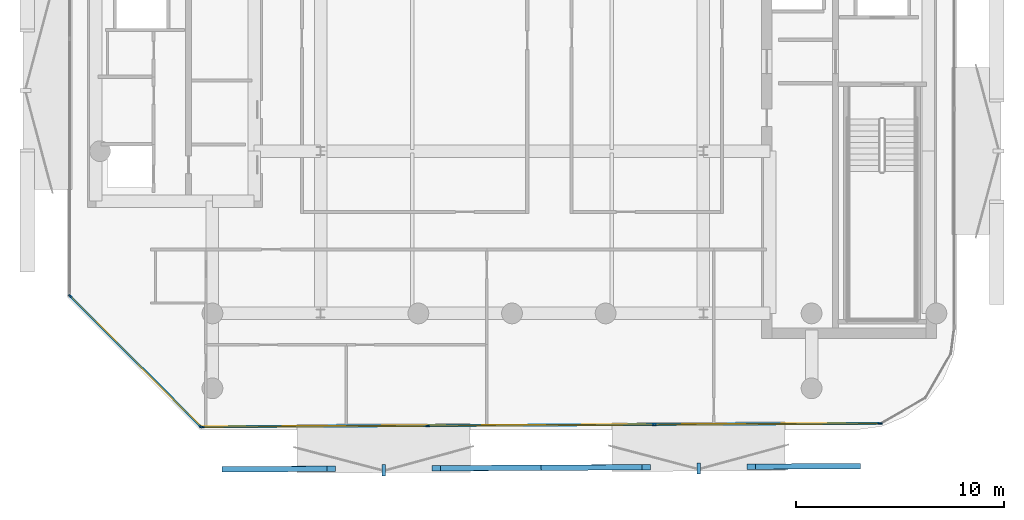
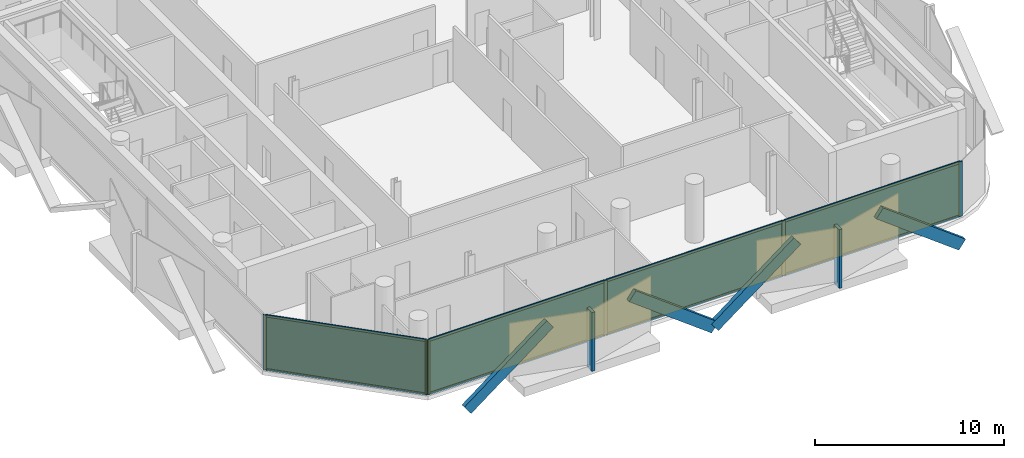
# One storey, part 9 of 15: 20 members, 4 plates, 2 curtain walls.
"""IFC4 building model written with IfcOpenShell, lengths in metres."""

from ifc_helpers import new_model, si_unit, direction, frame, frame_2d, origin, origin_2d, place, context, subcontext, project, spatial, rectangle, extrude, material, layer, layer_set, material_profile, profile_set, type_object, element, aggregate, save


model = new_model("IFC4")

# Units and contexts
model_context = context("Model", 3, precision=1e-05, world=origin(), true_north=direction((0.0, 1.0)))
body_context = subcontext(model_context, "Body", "Model", "MODEL_VIEW")
ifc_project = project(units=[si_unit("LENGTHUNIT", "METRE"), si_unit("AREAUNIT", "SQUARE_METRE"), si_unit("VOLUMEUNIT", "CUBIC_METRE"), si_unit("PLANEANGLEUNIT", "RADIAN"), si_unit("MASSUNIT", "GRAM", prefix="KILO")], contexts=[model_context])

# Member
ifc_material_1 = material(Name="Anodised Bronze Aluminium 6063-T6", Category="aluminium")
ifc_material_profile_1 = material_profile(ifc_material_1, rectangle(XDim=0.260009765625, YDim=0.699951171875, at=origin_2d()))
ifc_profile_set_1 = profile_set([ifc_material_profile_1], Name="Anodised Bronze Aluminium 6063-T6")
member_type_1 = type_object("IfcMemberType", Name="Bronze Diamond Solar-Screen Lattice Rib BDL-700", PredefinedType="MULLION", material=ifc_profile_set_1)
site_placement = place(None, origin())
building_placement = place(site_placement, origin())
storey_placement = place(building_placement, frame((0.0, 0.0, 289.0)))
member_1_placement = place(storey_placement, frame((16.5419921875, -25.942626953125, -0.1298828125), z_axis=(-0.798809371859, -0.003981098626, 0.601571058383), x_axis=(-0.00802843878, 0.999959597655, -0.004043170503)))
member_1 = element("IfcMember", 1, at=member_1_placement, type_object=member_type_1, Name="L69 Bronze Diamond Solar Screen Lattice Rib 478A", PredefinedType="MULLION", context=body_context, shape_type="SweptSolid", body=[
    extrude(rectangle(XDim=0.260009765625, YDim=0.699951171875, at=origin_2d()), origin(), (0.0, 0.0, 1.0), 6.31640625),
])

member_2_placement = place(storey_placement, frame((1.405029296875, -26.018310546875, -0.1298828125), z_axis=(0.798809248345, 0.004019749447, 0.601570965367), x_axis=(0.008076821447, -0.99995920803, -0.004043170857)))
member_2 = element("IfcMember", 2, at=member_2_placement, type_object=member_type_1, Name="L69 Bronze Diamond Solar Screen Lattice Rib 478B", PredefinedType="MULLION", context=body_context, shape_type="SweptSolid", body=[
    extrude(rectangle(XDim=0.260009765625, YDim=0.699951171875, at=origin_2d()), origin(), (0.0, 0.0, 1.0), 6.31640625),
])

member_3_placement = place(storey_placement, frame((1.405029296875, -26.018310546875, -0.1298828125), z_axis=(-0.798809371859, -0.003981098626, 0.601571058383), x_axis=(-0.00802843878, 0.999959597655, -0.004043170503)))
member_3 = element("IfcMember", 3, at=member_3_placement, type_object=member_type_1, Name="L69 Bronze Diamond Solar Screen Lattice Rib 479A", PredefinedType="MULLION", context=body_context, shape_type="SweptSolid", body=[
    extrude(rectangle(XDim=0.260009765625, YDim=0.699951171875, at=origin_2d()), origin(), (0.0, 0.0, 1.0), 6.31640625),
])

member_4_placement = place(storey_placement, frame((-13.731689453125, -26.093994140625, -0.1298828125), z_axis=(0.798795259596, 0.00401987356, 0.601589539357), x_axis=(0.008077158941, -0.999959205591, -0.004043100058)))
member_4 = element("IfcMember", 4, at=member_4_placement, type_object=member_type_1, Name="L69 Bronze Diamond Solar Screen Lattice Rib 479B", PredefinedType="MULLION", context=body_context, shape_type="SweptSolid", body=[
    extrude(rectangle(XDim=0.260009765625, YDim=0.699951171875, at=origin_2d()), origin(), (0.0, 0.0, 1.0), 6.316162109375),
])

ifc_material_2 = material(Name="Anodised Bronze Aluminium 6063-T6", Category="aluminium")
ifc_material_profile_2 = material_profile(ifc_material_2, rectangle(XDim=0.179931640625, YDim=0.5400390625, at=origin_2d()))
ifc_profile_set_2 = profile_set([ifc_material_profile_2], Name="Anodised Bronze Aluminium 6063-T6")
member_type_2 = type_object("IfcMemberType", Name="Bronze Solar-Screen Vertical Fold Fin BSF-540", PredefinedType="MULLION", material=ifc_profile_set_2)
member_5_placement = place(storey_placement, frame((8.973876953125, -26.060302734375, -0.1298828125), z_axis=(0.0, 0.0, 1.0), x_axis=(-0.999987190865, -0.00506143322, 0.0)))
member_5 = element("IfcMember", 5, at=member_5_placement, type_object=member_type_2, Name="L69 Bronze Solar Screen Vertical Fin 478", PredefinedType="MULLION", context=body_context, shape_type="SweptSolid", body=[
    extrude(rectangle(XDim=0.179931640625, YDim=0.5400390625, at=origin_2d()), origin(), (0.0, 0.0, 1.0), 3.7998046875),
])

member_6_placement = place(storey_placement, frame((-6.1630859375, -26.135986328125, -0.1298828125), z_axis=(0.0, 0.0, 1.0), x_axis=(-0.999987190865, -0.00506143322, 0.0)))
member_6 = element("IfcMember", 6, at=member_6_placement, type_object=member_type_2, Name="L69 Bronze Solar Screen Vertical Fin 479", PredefinedType="MULLION", context=body_context, shape_type="SweptSolid", body=[
    extrude(rectangle(XDim=0.179931640625, YDim=0.5400390625, at=origin_2d()), origin(), (0.0, 0.0, 1.0), 3.7998046875),
])

ifc_material_3 = material(Name="Anodised Bronze Aluminium 6063-T6", Category="aluminium")
ifc_material_profile_3 = material_profile(ifc_material_3, rectangle(XDim=0.074951171875, YDim=0.2099609375, at=origin_2d()))
ifc_profile_set_3 = profile_set([ifc_material_profile_3], Name="Anodised Bronze Aluminium 6063-T6")
member_type_3 = type_object("IfcMemberType", Name="CW-CRN Mullion 75x210", PredefinedType="MULLION", material=ifc_profile_set_3)
member_7_placement = place(storey_placement, frame((17.694091796875, -23.896728515625, 0.0), z_axis=(0.0, 0.0, 1.0), x_axis=(0.005000901552, -0.999987495414, 0.0)))
member_7 = element("IfcMember", 7, at=member_7_placement, type_object=member_type_3, Name="CW-CRN mullion 1", PredefinedType="MULLION", context=body_context, shape_type="SweptSolid", body=[
    extrude(rectangle(XDim=0.074951171875, YDim=0.2099609375, at=origin_2d()), origin(), (0.0, 0.0, 1.0), 3.5400390625),
])

member_8_placement = place(storey_placement, frame((6.840576171875, -23.951171875, 0.0), z_axis=(0.0, 0.0, 1.0), x_axis=(0.005000901552, -0.999987495414, 0.0)))
member_8 = element("IfcMember", 8, at=member_8_placement, type_object=member_type_3, Name="CW-CRN mullion 2", PredefinedType="MULLION", context=body_context, shape_type="SweptSolid", body=[
    extrude(rectangle(XDim=0.074951171875, YDim=0.2099609375, at=origin_2d()), origin(), (0.0, 0.0, 1.0), 3.5400390625),
])

member_9_placement = place(storey_placement, frame((-4.05078125, -24.005615234375, 0.0), z_axis=(0.0, 0.0, 1.0), x_axis=(0.005000901552, -0.999987495414, 0.0)))
member_9 = element("IfcMember", 9, at=member_9_placement, type_object=member_type_3, Name="CW-CRN mullion 3", PredefinedType="MULLION", context=body_context, shape_type="SweptSolid", body=[
    extrude(rectangle(XDim=0.074951171875, YDim=0.2099609375, at=origin_2d()), origin(), (0.0, 0.0, 1.0), 3.5400390625),
])

member_10_placement = place(storey_placement, frame((-14.904541015625, -24.059814453125, 0.0), z_axis=(0.0, 0.0, 1.0), x_axis=(0.005000901552, -0.999987495414, 0.0)))
member_10 = element("IfcMember", 10, at=member_10_placement, type_object=member_type_3, Name="CW-CRN mullion 4", PredefinedType="MULLION", context=body_context, shape_type="SweptSolid", body=[
    extrude(rectangle(XDim=0.074951171875, YDim=0.2099609375, at=origin_2d()), origin(), (0.0, 0.0, 1.0), 3.5400390625),
])

ifc_material_4 = material(Name="Anodised Bronze Aluminium 6063-T6", Category="aluminium")
ifc_material_profile_4 = material_profile(ifc_material_4, rectangle(XDim=0.074951171875, YDim=0.1650390625, at=origin_2d()))
ifc_profile_set_4 = profile_set([ifc_material_profile_4], Name="Anodised Bronze Aluminium 6063-T6")
member_type_4 = type_object("IfcMemberType", Name="CW-CRN Transom 75x165", PredefinedType="USERDEFINED", material=ifc_profile_set_4)
member_11_placement = place(storey_placement, frame((17.65673828125, -23.89697265625, 0.03759765625), z_axis=(-0.999987471907, -0.005005599803, 0.0), x_axis=(0.005005599803, -0.999987471907, 0.0)))
member_11 = element("IfcMember", 11, at=member_11_placement, type_object=member_type_4, Name="CW-CRN transom 1.1", ObjectType="TRANSOM", PredefinedType="USERDEFINED", context=body_context, shape_type="SweptSolid", body=[
    extrude(rectangle(XDim=0.074951171875, YDim=0.1650390625, at=origin_2d()), origin(), (0.0, 0.0, 1.0), 10.779052734375),
])

member_12_placement = place(storey_placement, frame((17.65673828125, -23.89697265625, 3.50244140625), z_axis=(-0.999987471907, -0.005005599803, 0.0), x_axis=(0.005005599803, -0.999987471907, 0.0)))
member_12 = element("IfcMember", 12, at=member_12_placement, type_object=member_type_4, Name="CW-CRN transom 1.2", ObjectType="TRANSOM", PredefinedType="USERDEFINED", context=body_context, shape_type="SweptSolid", body=[
    extrude(rectangle(XDim=0.074951171875, YDim=0.1650390625, at=origin_2d()), origin(), (0.0, 0.0, 1.0), 10.779052734375),
])

member_13_placement = place(storey_placement, frame((6.802978515625, -23.951171875, 0.03759765625), z_axis=(-0.99998744544, -0.00501088443, 0.0), x_axis=(0.00501088443, -0.99998744544, 0.0)))
member_13 = element("IfcMember", 13, at=member_13_placement, type_object=member_type_4, Name="CW-CRN transom 2.1", ObjectType="TRANSOM", PredefinedType="USERDEFINED", context=body_context, shape_type="SweptSolid", body=[
    extrude(rectangle(XDim=0.074951171875, YDim=0.1650390625, at=origin_2d()), origin(), (0.0, 0.0, 1.0), 10.81640625),
])

member_14_placement = place(storey_placement, frame((6.802978515625, -23.951171875, 3.50244140625), z_axis=(-0.99998744544, -0.00501088443, 0.0), x_axis=(0.00501088443, -0.99998744544, 0.0)))
member_14 = element("IfcMember", 14, at=member_14_placement, type_object=member_type_4, Name="CW-CRN transom 2.2", ObjectType="TRANSOM", PredefinedType="USERDEFINED", context=body_context, shape_type="SweptSolid", body=[
    extrude(rectangle(XDim=0.074951171875, YDim=0.1650390625, at=origin_2d()), origin(), (0.0, 0.0, 1.0), 10.81640625),
])

member_15_placement = place(storey_placement, frame((-4.08837890625, -24.005615234375, 0.03759765625), z_axis=(-0.999987471339, -0.00500571318, 0.0), x_axis=(0.00500571318, -0.999987471339, 0.0)))
member_15 = element("IfcMember", 15, at=member_15_placement, type_object=member_type_4, Name="CW-CRN transom 3.1", ObjectType="TRANSOM", PredefinedType="USERDEFINED", context=body_context, shape_type="SweptSolid", body=[
    extrude(rectangle(XDim=0.074951171875, YDim=0.1650390625, at=origin_2d()), origin(), (0.0, 0.0, 1.0), 10.77880859375),
])

member_16_placement = place(storey_placement, frame((-4.08837890625, -24.005615234375, 3.50244140625), z_axis=(-0.999987471339, -0.00500571318, 0.0), x_axis=(0.00500571318, -0.999987471339, 0.0)))
member_16 = element("IfcMember", 16, at=member_16_placement, type_object=member_type_4, Name="CW-CRN transom 3.2", ObjectType="TRANSOM", PredefinedType="USERDEFINED", context=body_context, shape_type="SweptSolid", body=[
    extrude(rectangle(XDim=0.074951171875, YDim=0.1650390625, at=origin_2d()), origin(), (0.0, 0.0, 1.0), 10.77880859375),
])

ifc_material_5 = material(Name="Anodised Bronze Aluminium 6063-T6", Category="aluminium")
ifc_material_profile_5 = material_profile(ifc_material_5, rectangle(XDim=0.070068359375, YDim=0.18994140625, at=origin_2d()))
ifc_profile_set_5 = profile_set([ifc_material_profile_5], Name="Anodised Bronze Aluminium 6063-T6")
member_type_5 = type_object("IfcMemberType", Name="CW-SLC Mullion 70x190", PredefinedType="MULLION", material=ifc_profile_set_5)
member_17_placement = place(storey_placement, frame((-14.966796875, -24.03515625, 0.0), z_axis=(0.0, 0.0, 1.0), x_axis=(-0.707106781187, -0.707106781187, 0.0)))
member_17 = element("IfcMember", 17, at=member_17_placement, type_object=member_type_5, Name="CW-SLC mullion 1", PredefinedType="MULLION", context=body_context, shape_type="SweptSolid", body=[
    extrude(rectangle(XDim=0.070068359375, YDim=0.18994140625, at=origin_2d()), origin(), (0.0, 0.0, 1.0), 3.5400390625),
])

member_18_placement = place(storey_placement, frame((-21.2353515625, -17.766845703125, 0.0), z_axis=(0.0, 0.0, 1.0), x_axis=(-0.707106781187, -0.707106781187, 0.0)))
member_18 = element("IfcMember", 18, at=member_18_placement, type_object=member_type_5, Name="CW-SLC mullion 2", PredefinedType="MULLION", context=body_context, shape_type="SweptSolid", body=[
    extrude(rectangle(XDim=0.070068359375, YDim=0.18994140625, at=origin_2d()), origin(), (0.0, 0.0, 1.0), 3.5400390625),
])

ifc_material_6 = material(Name="Anodised Bronze Aluminium 6063-T6", Category="aluminium")
ifc_material_profile_6 = material_profile(ifc_material_6, rectangle(XDim=0.070068359375, YDim=0.14990234375, at=origin_2d()))
ifc_profile_set_6 = profile_set([ifc_material_profile_6], Name="Anodised Bronze Aluminium 6063-T6")
member_type_6 = type_object("IfcMemberType", Name="CW-SLC Transom 70x150", PredefinedType="USERDEFINED", material=ifc_profile_set_6)
member_19_placement = place(storey_placement, frame((-14.991455078125, -24.010498046875, 0.034912109375), z_axis=(-0.707106781187, 0.707106781187, 0.0), x_axis=(-0.707106781187, -0.707106781187, 0.0)))
member_19 = element("IfcMember", 19, at=member_19_placement, type_object=member_type_6, Name="CW-SLC transom 1.1", ObjectType="TRANSOM", PredefinedType="USERDEFINED", context=body_context, shape_type="SweptSolid", body=[
    extrude(rectangle(XDim=0.070068359375, YDim=0.14990234375, at=origin_2d()), origin(), (0.0, 0.0, 1.0), 8.794921875),
])

member_20_placement = place(storey_placement, frame((-14.991455078125, -24.010498046875, 3.5048828125), z_axis=(-0.707106781187, 0.707106781187, 0.0), x_axis=(-0.707106781187, -0.707106781187, 0.0)))
member_20 = element("IfcMember", 20, at=member_20_placement, type_object=member_type_6, Name="CW-SLC transom 1.2", ObjectType="TRANSOM", PredefinedType="USERDEFINED", context=body_context, shape_type="SweptSolid", body=[
    extrude(rectangle(XDim=0.070068359375, YDim=0.14990234375, at=origin_2d()), origin(), (0.0, 0.0, 1.0), 8.794921875),
])

# Plate
ifc_material_7 = material(Name="Low-E Solar Control Laminated Glass", Category="glass")
ifc_layer_1 = layer(ifc_material_7, 0.035888671875, Name="Low-E Solar Control Laminated Glass")
ifc_layer_set_1 = layer_set([ifc_layer_1], Name="Low-E Solar Control Laminated Glass")
plate_type_1 = type_object("IfcPlateType", Name="CW-CRN Low-E Double Glazed Panel 36mm", PredefinedType="CURTAIN_PANEL", material=ifc_layer_set_1)
plate_1_placement = place(storey_placement, frame((12.267333984375, -23.923828125, 0.0751953125), z_axis=(0.0, 0.0, 1.0), x_axis=(-0.999987495414, -0.005000901552, 0.0)))
plate_1 = element("IfcPlate", 21, at=plate_1_placement, type_object=plate_type_1, Name="CW-CRN panel 1.1", PredefinedType="CURTAIN_PANEL", context=body_context, shape_type="SweptSolid", body=[
    extrude(rectangle(XDim=10.77880859375, YDim=0.035888671875, at=origin_2d()), origin(), (0.0, 0.0, 1.0), 3.389892578125),
])

plate_2_placement = place(storey_placement, frame((1.394775390625, -23.978271484375, 0.0751953125), z_axis=(0.0, 0.0, 1.0), x_axis=(-0.999987495414, -0.005000901552, 0.0)))
plate_2 = element("IfcPlate", 22, at=plate_2_placement, type_object=plate_type_1, Name="CW-CRN panel 2.1", PredefinedType="CURTAIN_PANEL", context=body_context, shape_type="SweptSolid", body=[
    extrude(rectangle(XDim=10.81640625, YDim=0.035888671875, at=origin_2d()), origin(), (0.0, 0.0, 1.0), 3.389892578125),
])

plate_3_placement = place(storey_placement, frame((-9.4775390625, -24.03271484375, 0.0751953125), z_axis=(0.0, 0.0, 1.0), x_axis=(-0.999987495414, -0.005000901552, 0.0)))
plate_3 = element("IfcPlate", 23, at=plate_3_placement, type_object=plate_type_1, Name="CW-CRN panel 3.1", PredefinedType="CURTAIN_PANEL", context=body_context, shape_type="SweptSolid", body=[
    extrude(rectangle(XDim=10.77880859375, YDim=0.035888671875, at=origin_2d()), origin(), (0.0, 0.0, 1.0), 3.389892578125),
])

ifc_material_8 = material(Name="Low-E Solar Control Laminated Glass", Category="glass")
ifc_layer_2 = layer(ifc_material_8, 0.033935546875, Name="Low-E Solar Control Laminated Glass")
ifc_layer_set_2 = layer_set([ifc_layer_2], Name="Low-E Solar Control Laminated Glass")
plate_type_2 = type_object("IfcPlateType", Name="CW-SLC Low-E Double Glazed Panel 34mm", PredefinedType="CURTAIN_PANEL", material=ifc_layer_set_2)
plate_4_placement = place(storey_placement, frame((-18.10107421875, -20.90087890625, 0.070068359375), z_axis=(0.0, 0.0, 1.0), x_axis=(-0.707106781187, 0.707106781187, 0.0)))
plate_4 = element("IfcPlate", 24, at=plate_4_placement, type_object=plate_type_2, Name="CW-SLC panel 1.1", PredefinedType="CURTAIN_PANEL", context=body_context, shape_type="SweptSolid", body=[
    extrude(rectangle(XDim=8.794921875, YDim=0.033935546875, at=origin_2d()), origin(), (0.0, 0.0, 1.0), 3.39990234375),
])

# Site, building, storey
site = spatial("IfcSite", under=ifc_project, at=site_placement, CompositionType="ELEMENT")
building = spatial("IfcBuilding", under=site, at=building_placement, Name="Khairoan Windgate Tower", CompositionType="ELEMENT")
storey = spatial("IfcBuildingStorey", under=building, at=storey_placement, Name="L69", CompositionType="ELEMENT", Elevation=289.0)

# Curtain wall
ifc_material_9 = material(Name="Anodised Bronze Aluminium 6063-T6", Category="aluminium")
ifc_layer_3 = layer(ifc_material_9, 0.2099609375, Name="Anodised Bronze Aluminium 6063-T6")
ifc_layer_set_3 = layer_set([ifc_layer_3], Name="Anodised Bronze Aluminium 6063-T6")
curtain_wall_type_1 = type_object("IfcCurtainWallType", Name="Crown Observation and Vitrine Curtain Wall CW-CRN", PredefinedType="NOTDEFINED", material=ifc_layer_set_3)
curtain_wall_1_placement = place(storey_placement, frame((17.731689453125, -23.896484375, 0.0), z_axis=(0.0, 0.0, 1.0), x_axis=(-0.999987468646, -0.005006251197, 0.0)))
curtain_wall_1 = element("IfcCurtainWall", 25, at=curtain_wall_1_placement, inside=storey, type_object=curtain_wall_type_1, Name="L69 Unitised Curtain Wall 1", PredefinedType="NOTDEFINED", context=body_context, shape_type="SweptSolid", body=[
    extrude(rectangle(XDim=32.674072265625, YDim=0.010009765625, at=frame_2d((16.3369140625, 0.0))), origin(), (0.0, 0.0, 1.0), 3.5400390625),
])

aggregate(curtain_wall_1, [member_7, member_8, member_9, member_10, member_11, member_12, plate_1, member_13, member_14, plate_2, member_15, member_16, plate_3, member_1, member_2, member_5, member_3, member_4, member_6])

ifc_material_10 = material(Name="Anodised Bronze Aluminium 6063-T6", Category="aluminium")
ifc_layer_4 = layer(ifc_material_10, 0.18994140625, Name="Anodised Bronze Aluminium 6063-T6")
ifc_layer_set_4 = layer_set([ifc_layer_4], Name="Anodised Bronze Aluminium 6063-T6")
curtain_wall_type_2 = type_object("IfcCurtainWallType", Name="Diagonal Corner-Slice Facet Curtain Wall CW-SLC", PredefinedType="NOTDEFINED", material=ifc_layer_set_4)
curtain_wall_2_placement = place(storey_placement, frame((-14.94189453125, -24.06005859375, 0.0), z_axis=(0.0, 0.0, 1.0), x_axis=(-0.707106781187, 0.707106781187, 0.0)))
curtain_wall_2 = element("IfcCurtainWall", 26, at=curtain_wall_2_placement, inside=storey, type_object=curtain_wall_type_2, Name="L69 Crystal Slice Curtain Wall 2", PredefinedType="NOTDEFINED", context=body_context, shape_type="SweptSolid", body=[
    extrude(rectangle(XDim=8.93505859375, YDim=0.010009765625, at=frame_2d((4.467529296875, 0.0))), origin(), (0.0, 0.0, 1.0), 3.5400390625),
])

aggregate(curtain_wall_2, [member_17, member_18, member_19, member_20, plate_4])

save(model, "model.ifc")
